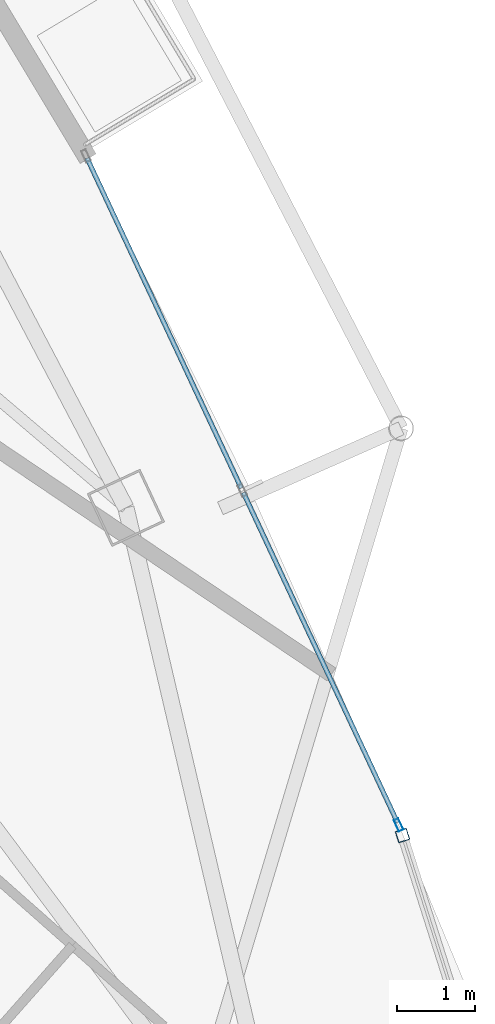
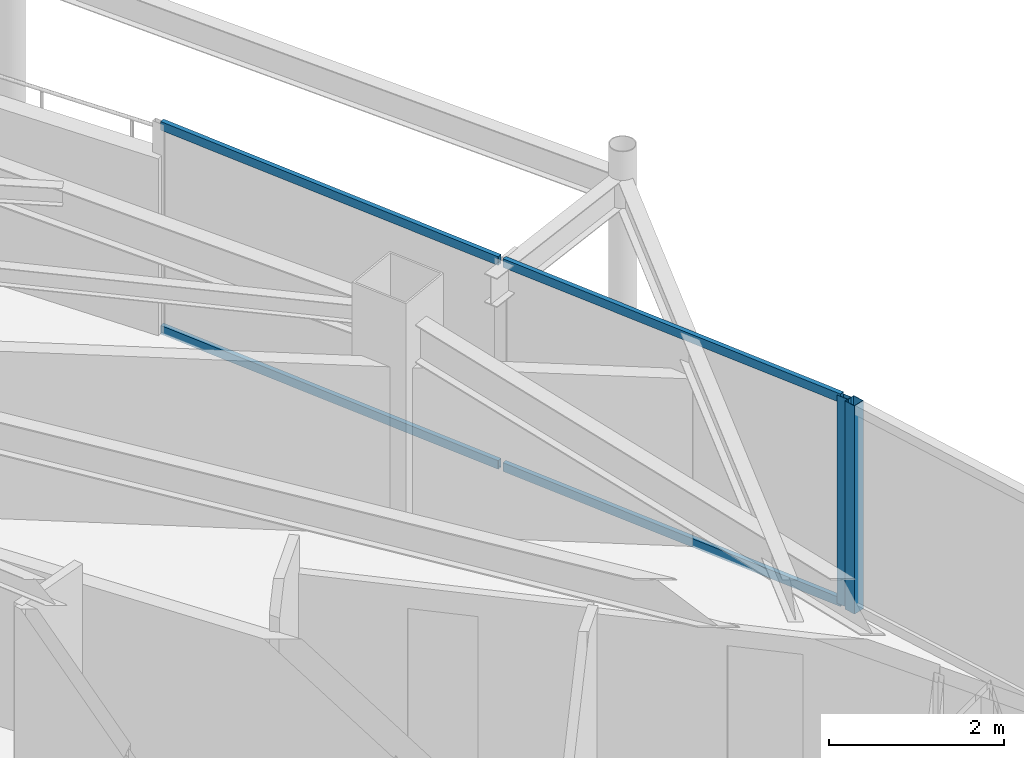
# One storey, part 16 of 29: 6 members, 2 elements without a shape of their own.
"""IFC4 building model written with IfcOpenShell, lengths in metres."""

from ifc_helpers import new_model, si_unit, direction, frame, origin, origin_2d, place, context, subcontext, project, spatial, hollow_rectangle, extrude, material, layer, layer_set, material_profile, profile_set, type_object, element, aggregate, save


model = new_model("IFC4")

# Units and contexts
model_context = context("Model", 3, precision=1e-05, world=origin(), true_north=direction((0.0, 1.0)))
body_context = subcontext(model_context, "Body", "Model", "MODEL_VIEW")
ifc_project = project(units=[si_unit("LENGTHUNIT", "METRE"), si_unit("AREAUNIT", "SQUARE_METRE"), si_unit("VOLUMEUNIT", "CUBIC_METRE"), si_unit("PLANEANGLEUNIT", "RADIAN"), si_unit("MASSUNIT", "GRAM", prefix="KILO")], contexts=[model_context])

# Site, building, storey
site_placement = place(None, origin())
site = spatial("IfcSite", under=ifc_project, at=site_placement, CompositionType="ELEMENT")
building_placement = place(site_placement, origin())
building = spatial("IfcBuilding", under=site, at=building_placement, Name="Orvanel Arch Residences", CompositionType="ELEMENT")
storey_placement = place(building_placement, frame((0.0, 0.0, 253.550048828125)))
storey = spatial("IfcBuildingStorey", under=building, at=storey_placement, Name="L72", CompositionType="ELEMENT", Elevation=253.550048828125)

# Curtain wall, member
ifc_material = material(Name="Bronze-anodised aluminium AA6063-T6", Category="aluminium")
ifc_layer_1 = layer(ifc_material, 0.18994140625)
ifc_layer_set_1 = layer_set([ifc_layer_1], Name="Bronze-anodised aluminium AA6063-T6")
curtain_wall_type_1 = type_object("IfcCurtainWallType", Name="CW5-CRN-SYS", PredefinedType="NOTDEFINED", material=ifc_layer_set_1)
curtain_wall_1_placement = place(storey_placement, origin())
curtain_wall_1 = element("IfcCurtainWall", 1, at=curtain_wall_1_placement, inside=storey, type_object=curtain_wall_type_1, Name="L72 CW5-CRN-SYS Unitised Curtain Wall", PredefinedType="NOTDEFINED")
ifc_material_profile_1 = material_profile(ifc_material, hollow_rectangle(XDim=0.14990234375, YDim=0.14990234375, WallThickness=0.0048828125, at=origin_2d()), Name="ALU150x150x5")
ifc_profile_set_1 = profile_set([ifc_material_profile_1], Name="Bronze-anodised aluminium AA6063-T6")
member_type_1 = type_object("IfcMemberType", Name="MUL-150x150", PredefinedType="MULLION", material=ifc_profile_set_1)
member_1_placement = place(storey_placement, frame((53.20166015625, 15.41357421875, 0.0), z_axis=(0.0, 0.0, 1.0), x_axis=(-0.953089092544, -0.302689910097, 0.0)))
member_1 = element("IfcMember", 2, at=member_1_placement, type_object=member_type_1, Name="CW-S5 mullion 2", PredefinedType="MULLION", context=body_context, shape_type="SweptSolid", body=[
    extrude(hollow_rectangle(XDim=0.14990234375, YDim=0.14990234375, WallThickness=0.0048828125, at=origin_2d()), origin(), (0.0, 0.0, 1.0), 2.89990234375),
])
aggregate(curtain_wall_1, [member_1])

# Curtain wall, members
ifc_layer_2 = layer(ifc_material, 0.175048828125)
ifc_layer_set_2 = layer_set([ifc_layer_2], Name="Bronze-anodised aluminium AA6063-T6")
curtain_wall_type_2 = type_object("IfcCurtainWallType", Name="CW4-HI-SYS", PredefinedType="NOTDEFINED", material=ifc_layer_set_2)
curtain_wall_2_placement = place(storey_placement, origin())
curtain_wall_2 = element("IfcCurtainWall", 3, at=curtain_wall_2_placement, inside=storey, type_object=curtain_wall_type_2, Name="L72 CW4-HI-SYS Unitised Curtain Wall", PredefinedType="NOTDEFINED")
ifc_material_profile_2 = material_profile(ifc_material, hollow_rectangle(XDim=0.06494140625, YDim=0.159912109375, WallThickness=0.00390625, at=origin_2d()), Name="ALU160x65x4")
ifc_profile_set_2 = profile_set([ifc_material_profile_2], Name="Bronze-anodised aluminium AA6063-T6")
member_type_2 = type_object("IfcMemberType", Name="MUL-160x65", PredefinedType="MULLION", material=ifc_profile_set_2)
member_2_placement = place(storey_placement, frame((53.151123046875, 15.551513671875, 0.0), z_axis=(0.0, 0.0, 1.0), x_axis=(-0.905975305707, -0.423330539235, 0.0)))
member_2 = element("IfcMember", 4, at=member_2_placement, type_object=member_type_2, Name="CW-S4 mullion 1", PredefinedType="MULLION", context=body_context, shape_type="SweptSolid", body=[
    extrude(hollow_rectangle(XDim=0.06494140625, YDim=0.159912109375, WallThickness=0.00390625, at=origin_2d()), origin(), (0.0, 0.0, 1.0), 2.89990234375),
])
ifc_material_profile_3 = material_profile(ifc_material, hollow_rectangle(XDim=0.06005859375, YDim=0.1201171875, WallThickness=0.00341796875, at=origin_2d()), Name="ALU120x60x3.5")
ifc_profile_set_3 = profile_set([ifc_material_profile_3], Name="Bronze-anodised aluminium AA6063-T6")
member_type_3 = type_object("IfcMemberType", Name="TRN-120x60", PredefinedType="USERDEFINED", material=ifc_profile_set_3)
member_3_placement = place(storey_placement, frame((53.137451171875, 15.580810546875, 0.030029296875), z_axis=(-0.423323424592, 0.905978630097, 0.0), x_axis=(-0.905978630097, -0.423323424592, 0.0)))
member_3 = element("IfcMember", 5, at=member_3_placement, type_object=member_type_3, Name="CW-S4 transom 1.1", ObjectType="TRANSOM", PredefinedType="USERDEFINED", context=body_context, shape_type="SweptSolid", body=[
    extrude(hollow_rectangle(XDim=0.06005859375, YDim=0.1201171875, WallThickness=0.00341796875, at=origin_2d()), origin(), (0.0, 0.0, 1.0), 4.69921875),
])
member_4_placement = place(storey_placement, frame((53.137451171875, 15.580810546875, 2.869873046875), z_axis=(-0.423323424592, 0.905978630097, 0.0), x_axis=(-0.905978630097, -0.423323424592, 0.0)))
member_4 = element("IfcMember", 6, at=member_4_placement, type_object=member_type_3, Name="CW-S4 transom 1.2", ObjectType="TRANSOM", PredefinedType="USERDEFINED", context=body_context, shape_type="SweptSolid", body=[
    extrude(hollow_rectangle(XDim=0.06005859375, YDim=0.1201171875, WallThickness=0.00341796875, at=origin_2d()), origin(), (0.0, 0.0, 1.0), 4.69921875),
])
member_5_placement = place(storey_placement, frame((51.120849609375, 19.89697265625, 0.030029296875), z_axis=(-0.423343351033, 0.905969319092, 0.0), x_axis=(-0.905969319092, -0.423343351033, 0.0)))
member_5 = element("IfcMember", 7, at=member_5_placement, type_object=member_type_3, Name="CW-S4 transom 2.1", ObjectType="TRANSOM", PredefinedType="USERDEFINED", context=body_context, shape_type="SweptSolid", body=[
    extrude(hollow_rectangle(XDim=0.06005859375, YDim=0.1201171875, WallThickness=0.00341796875, at=origin_2d()), origin(), (0.0, 0.0, 1.0), 4.698974609375),
])
member_6_placement = place(storey_placement, frame((51.120849609375, 19.89697265625, 2.869873046875), z_axis=(-0.423343351033, 0.905969319092, 0.0), x_axis=(-0.905969319092, -0.423343351033, 0.0)))
member_6 = element("IfcMember", 8, at=member_6_placement, type_object=member_type_3, Name="CW-S4 transom 2.2", ObjectType="TRANSOM", PredefinedType="USERDEFINED", context=body_context, shape_type="SweptSolid", body=[
    extrude(hollow_rectangle(XDim=0.06005859375, YDim=0.1201171875, WallThickness=0.00341796875, at=origin_2d()), origin(), (0.0, 0.0, 1.0), 4.698974609375),
])
aggregate(curtain_wall_2, [member_2, member_3, member_4, member_5, member_6])

save(model, "model.ifc")
